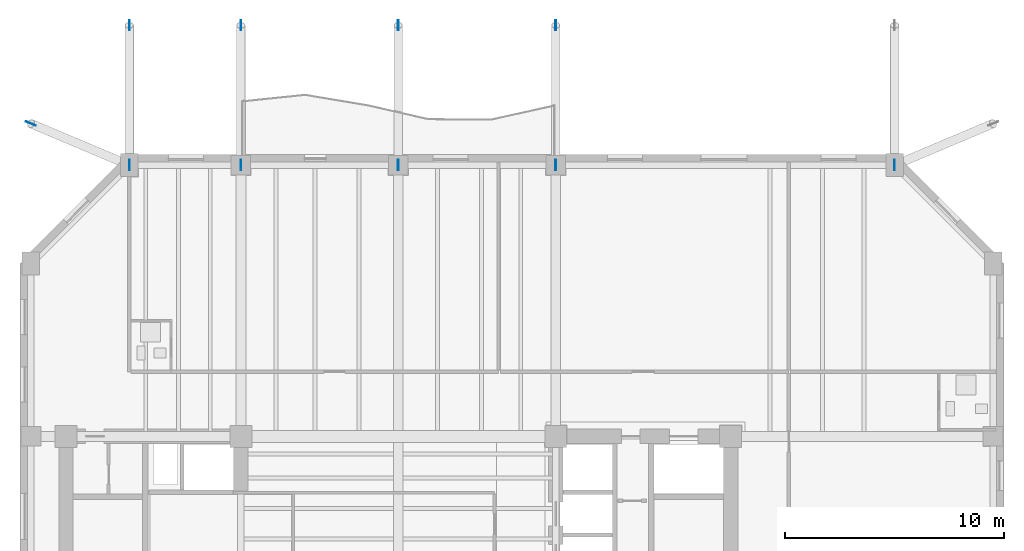
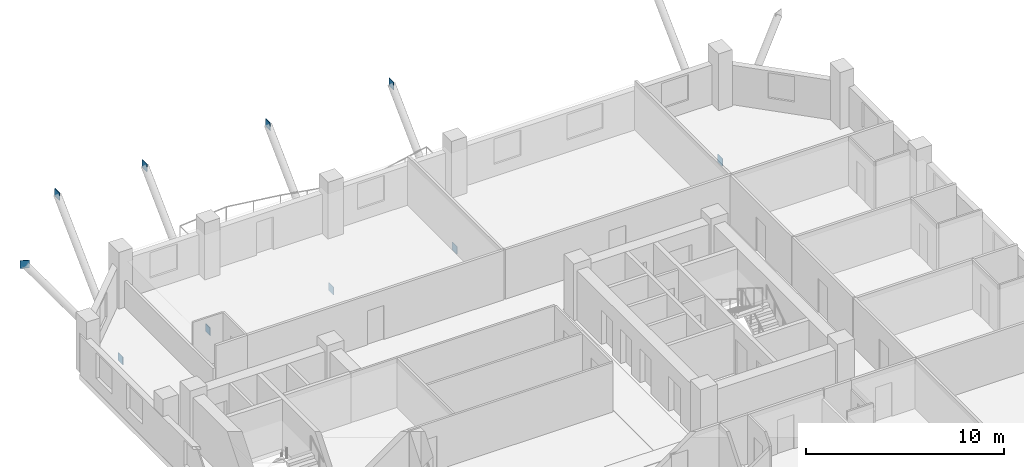
# One storey, part 3 of 12: 10 plates.
"""IFC4 building model written with IfcOpenShell, lengths in metres."""

from ifc_helpers import new_model, si_unit, direction, frame, origin, origin_2d, place, context, subcontext, project, spatial, rectangle, extrude, material, layer, layer_set, type_object, element, save


model = new_model("IFC4")

# Units and contexts
model_context = context("Model", 3, precision=1e-05, world=origin(), true_north=direction((0.0, 1.0)))
body_context = subcontext(model_context, "Body", "Model", "MODEL_VIEW")
ifc_project = project(units=[si_unit("LENGTHUNIT", "METRE"), si_unit("AREAUNIT", "SQUARE_METRE"), si_unit("VOLUMEUNIT", "CUBIC_METRE"), si_unit("PLANEANGLEUNIT", "RADIAN"), si_unit("MASSUNIT", "GRAM", prefix="KILO")], contexts=[model_context])

# Site, building, storey
site_placement = place(None, origin())
site = spatial("IfcSite", under=ifc_project, at=site_placement, CompositionType="ELEMENT")
building_placement = place(site_placement, origin())
building = spatial("IfcBuilding", under=site, at=building_placement, Name="Kranthara Brick Stack", CompositionType="ELEMENT")
storey_placement = place(building_placement, frame((0.0, 0.0, 158.800048828125)))
storey = spatial("IfcBuildingStorey", under=building, at=storey_placement, Name="L40", CompositionType="ELEMENT", Elevation=158.800048828125)

# Plates
ifc_material = material(Name="Steel S355", Category="steel")
ifc_layer = layer(ifc_material, 0.030029296875)
ifc_layer_set = layer_set([ifc_layer], Name="Steel S355")
plate_type = type_object("IfcPlateType", Name="PLT-GUSSET-30", PredefinedType="USERDEFINED", material=ifc_layer_set)
for number, where, z_axis, x_axis, name in (
    (1, (15.699951171875, 46.0, -3.739990234375), (0.0, 0.0, 1.0), (0.0, 1.0, 0.0), "L40 Brace and Strut End Connection Gusset Plate 067"),
    (2, (15.699951171875, 52.39990234375, 2.510009765625), (0.0, 0.0, 1.0), (0.0, 1.0, 0.0), "L40 Brace and Strut End Connection Gusset Plate 068"),
    (3, (20.800048828125, 46.0, -3.739990234375), (0.0, 0.0, 1.0), (0.0, 1.0, 0.0), "L40 Brace and Strut End Connection Gusset Plate 069"),
    (4, (20.800048828125, 52.39990234375, 2.510009765625), (0.0, 0.0, 1.0), (0.0, 1.0, 0.0), "L40 Brace and Strut End Connection Gusset Plate 070"),
    (5, (28.0, 46.0, -3.739990234375), (0.0, 0.0, 1.0), (0.0, 1.0, 0.0), "L40 Brace and Strut End Connection Gusset Plate 071"),
    (6, (28.0, 52.39990234375, 2.510009765625), (0.0, 0.0, 1.0), (0.0, 1.0, 0.0), "L40 Brace and Strut End Connection Gusset Plate 072"),
    (7, (35.199951171875, 46.0, -3.739990234375), (0.0, 0.0, 1.0), (0.0, 1.0, 0.0), "L40 Brace and Strut End Connection Gusset Plate 073"),
    (8, (35.199951171875, 52.39990234375, 2.510009765625), (0.0, 0.0, 1.0), (0.0, 1.0, 0.0), "L40 Brace and Strut End Connection Gusset Plate 074"),
    (9, (50.699951171875, 46.0, -3.739990234375), (0.0, 0.0, 1.0), (0.0, 1.0, 0.0), "L40 Brace and Strut End Connection Gusset Plate 075"),
    (10, (11.199951171875, 47.89990234375, 2.510009765625), (0.0, 0.0, 1.0), (-0.921185405566, 0.38912395014, 0.0), "L40 Brace and Strut End Connection Gusset Plate 077"),
):
    element("IfcPlate", number, at=place(storey_placement, frame(where, z_axis=z_axis, x_axis=x_axis)), inside=storey, type_object=plate_type, Name=name, ObjectType="GUSSET PLATE", PredefinedType="USERDEFINED", context=body_context, shape_type="SweptSolid", body=[
        extrude(rectangle(XDim=0.47998046875, YDim=0.030029296875, at=origin_2d()), origin(), (0.0, 0.0, 1.0), 0.47998046875),
    ])

save(model, "model.ifc")
